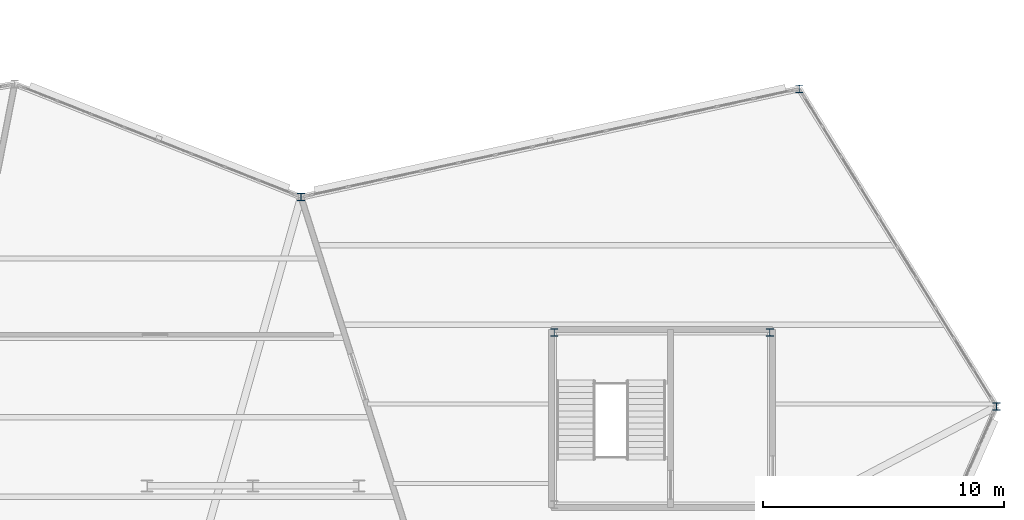
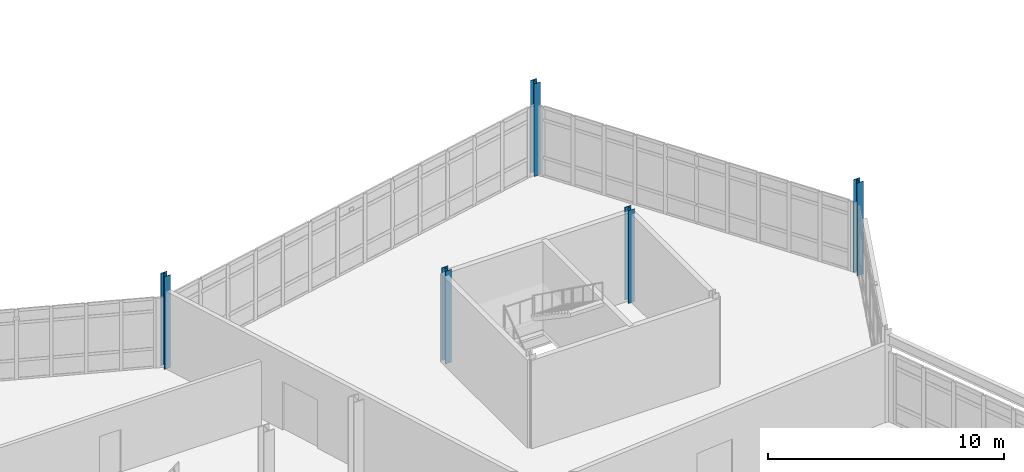
# One storey, part 21 of 134: 5 columns.
"""IFC4 building model written with IfcOpenShell, lengths in metres."""

from ifc_helpers import new_model, si_unit, direction, frame, origin, origin_2d, place, context, subcontext, project, spatial, i_section, extrude, material, material_profile, profile_set, type_object, element, save


model = new_model("IFC4")

# Units and contexts
model_context = context("Model", 3, precision=1e-05, world=origin(), true_north=direction((0.0, 1.0)))
body_context = subcontext(model_context, "Body", "Model", "MODEL_VIEW")
ifc_project = project(units=[si_unit("LENGTHUNIT", "METRE"), si_unit("AREAUNIT", "SQUARE_METRE"), si_unit("VOLUMEUNIT", "CUBIC_METRE"), si_unit("PLANEANGLEUNIT", "RADIAN"), si_unit("MASSUNIT", "GRAM", prefix="KILO")], contexts=[model_context])

# Site, building, storey
site_placement = place(None, origin())
site = spatial("IfcSite", under=ifc_project, at=site_placement, CompositionType="ELEMENT")
building_placement = place(site_placement, origin())
building = spatial("IfcBuilding", under=site, at=building_placement, Name="Tameran Prism Museum", CompositionType="ELEMENT")
storey_placement = place(building_placement, frame((0.0, 0.0, 5.39990234375)))
storey = spatial("IfcBuildingStorey", under=building, at=storey_placement, Name="L01", CompositionType="ELEMENT", Elevation=5.39990234375)

# Columns
ifc_material = material(Name="Steel Grade 300PLUS (300 MPa)", Category="steel")
ifc_material_profile = material_profile(ifc_material, i_section(OverallWidth=0.306884765625, OverallDepth=0.31494140625, WebThickness=0.011962890625, FlangeThickness=0.018798828125, FilletRadius=0.0166015625, at=origin_2d()))
ifc_profile_set = profile_set([ifc_material_profile])
column_type = type_object("IfcColumnType", Name="COL-UC310C", PredefinedType="COLUMN", material=ifc_profile_set)
for number, where, z_axis, x_axis, name in (
    (1, (137.5, 42.699951171875, 0.0), (0.0, 0.0, 1.0), (1.0, 0.0, 0.0), "Column CV-56 L01"),
    (2, (158.199951171875, 47.199951171875, 0.0), (0.0, 0.0, 1.0), (1.0, 0.0, 0.0), "Column CV-65 L01"),
    (3, (166.39990234375, 34.0, 0.0), (0.0, 0.0, 1.0), (1.0, 0.0, 0.0), "Column CV-70 L01"),
    (4, (156.97998046875, 37.080078125, 0.0), (0.0, 0.0, 1.0), (1.0, 0.0, 0.0), "Column CC-13-3 L01"),
    (5, (148.02001953125, 37.080078125, 0.0), (0.0, 0.0, 1.0), (1.0, 0.0, 0.0), "Column CC-13-4 L01"),
):
    element("IfcColumn", number, at=place(storey_placement, frame(where, z_axis=z_axis, x_axis=x_axis)), inside=storey, type_object=column_type, Name=name, PredefinedType="COLUMN", context=body_context, shape_type="SweptSolid", body=[
        extrude(i_section(OverallWidth=0.306884765625, OverallDepth=0.31494140625, WebThickness=0.011962890625, FlangeThickness=0.018798828125, FilletRadius=0.0166015625, at=origin_2d()), origin(), (0.0, 0.0, 1.0), 4.800048828125),
    ])

save(model, "model.ifc")
